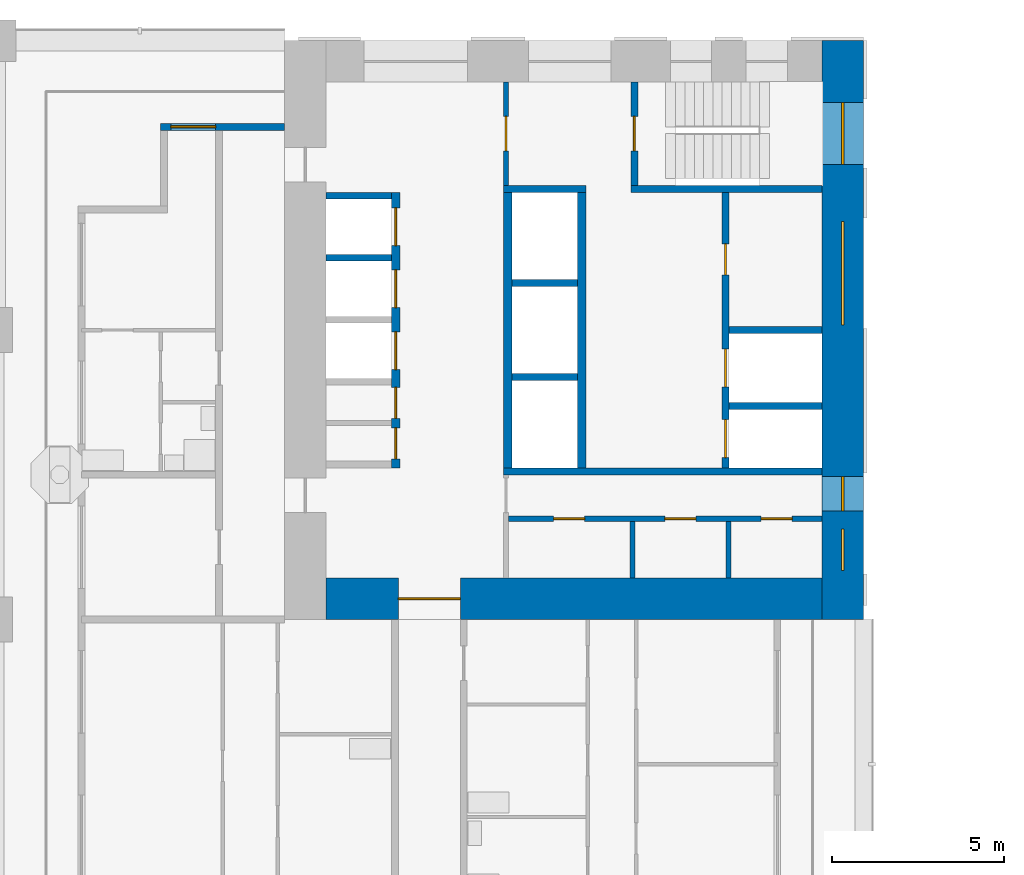
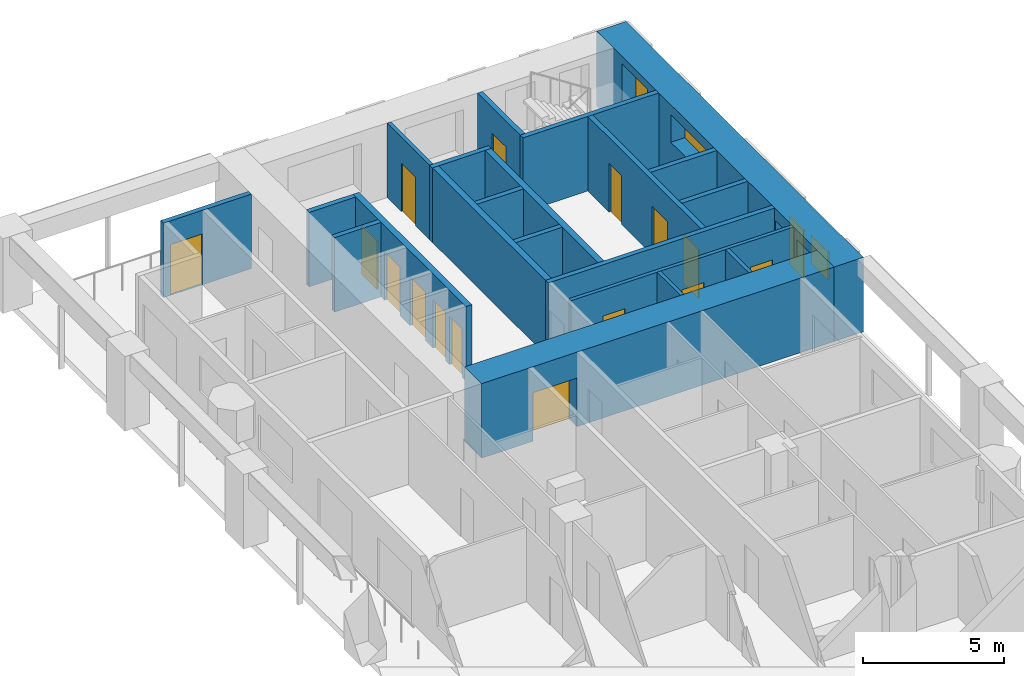
# One storey, part 7 of 18: 21 walls, 15 doors, 4 windows, 19 openings.
"""IFC4 building model written with IfcOpenShell, lengths in metres."""

from ifc_helpers import new_model, si_unit, direction, frame, frame_2d, origin, place, context, subcontext, project, spatial, rectangle, extrude, material, layer, layer_set, type_object, element, fill, save


model = new_model("IFC4")

# Units and contexts
model_context = context("Model", 3, precision=1e-05, world=origin(), true_north=direction((0.0, 1.0)))
body_context = subcontext(model_context, "Body", "Model", "MODEL_VIEW")
ifc_project = project(units=[si_unit("LENGTHUNIT", "METRE"), si_unit("AREAUNIT", "SQUARE_METRE"), si_unit("VOLUMEUNIT", "CUBIC_METRE"), si_unit("PLANEANGLEUNIT", "RADIAN"), si_unit("MASSUNIT", "GRAM", prefix="KILO")], contexts=[model_context])

# Site, building, storey
site_placement = place(None, origin())
site = spatial("IfcSite", under=ifc_project, at=site_placement, CompositionType="ELEMENT")
building_placement = place(site_placement, origin())
building = spatial("IfcBuilding", under=site, at=building_placement, Name="Vermilion Gate Residences", CompositionType="ELEMENT")
storey_placement = place(building_placement, frame((0.0, 0.0, 88.199951171875)))
storey = spatial("IfcBuildingStorey", under=building, at=storey_placement, Name="L21", CompositionType="ELEMENT", Elevation=88.199951171875)

# Wall, opening, door
ifc_material_1 = material(Name="Masonry blockwork", Category="masonry")
ifc_layer_1 = layer(ifc_material_1, 0.14990234375)
ifc_layer_set_1 = layer_set([ifc_layer_1], Name="BLOCKWORK PARTITION 150 EI 120")
wall_type_1 = type_object("IfcWallType", Name="BLOCKWORK PARTITION 150 EI 120", PredefinedType="PARTITIONING", material=ifc_layer_set_1)
wall_1_placement = place(storey_placement, frame((14.824951171875, 57.60009765625, 0.0), z_axis=(0.0, 0.0, 1.0), x_axis=(0.0, -1.0, 0.0)))
wall_1 = element("IfcWall", 1, at=wall_1_placement, inside=storey, type_object=wall_type_1, Name="Core room partition B21-VW-S", PredefinedType="PARTITIONING", context=body_context, shape_type="SweptSolid", body=[
    extrude(rectangle(XDim=3.0, YDim=0.14990234375, at=frame_2d((1.5, 0.0))), origin(), (0.0, 0.0, 1.0), 3.219970703125),
])
opening_1_placement = place(wall_1_placement, frame((1.0, 0.0, 0.0)))
opening_1 = element("IfcOpeningElement", 2, at=opening_1_placement, cuts=wall_1, Name="Opening DK21112", PredefinedType="OPENING", context=body_context, shape_type="SweptSolid", body=[
    extrude(rectangle(XDim=1.0, YDim=2.10009765625, at=frame_2d((0.5, 1.050048828125))), frame((0.0, 0.0849609375, 0.0), z_axis=(0.0, -1.0, 0.0), x_axis=(1.0, 0.0, 0.0)), (0.0, 0.0, 1.0), 0.169921875),
])
ifc_material_2 = material(Name="Steel", Category="steel")
door_type_1 = type_object("IfcDoorType", Name="FIRE DOOR FD60 1000 X 2100", OperationType="SINGLE_SWING_LEFT", PredefinedType="DOOR", material=ifc_material_2)
door_1_placement = place(opening_1_placement, frame((1.0, 0.0, 0.0), z_axis=(0.0, 0.0, 1.0), x_axis=(-1.0, 0.0, 0.0)))
door_1 = element("IfcDoor", 3, at=door_1_placement, inside=storey, type_object=door_type_1, Name="Stair vestibule door B21", OperationType="SINGLE_SWING_RIGHT", OverallHeight=2.10009765625, OverallWidth=1.0, PredefinedType="DOOR", context=body_context, shape_type="SweptSolid", body=[
    extrude(rectangle(XDim=1.0, YDim=2.10009765625, at=frame_2d((0.5, 1.050048828125))), frame((0.0, 0.02490234375, 0.0), z_axis=(0.0, -1.0, 0.0), x_axis=(1.0, 0.0, 0.0)), (0.0, 0.0, 1.0), 0.050048828125),
])
fill(opening_1, door_1)

# Walls
for number, where, z_axis, x_axis, name in (
    (4, (18.4951171875, 44.85009765625, 0.0), (0.0, 0.0, 1.0), (0.0, -1.0, 0.0), "Core room partition B21-ES-P0"),
    (5, (21.284912109375, 44.85009765625, 0.0), (0.0, 0.0, 1.0), (0.0, -1.0, 0.0), "Core room partition B21-ES-P1"),
):
    element("IfcWall", number, at=place(storey_placement, frame(where, z_axis=z_axis, x_axis=x_axis)), inside=storey, type_object=wall_type_1, Name=name, PredefinedType="PARTITIONING", context=body_context, shape_type="SweptSolid", body=[
        extrude(rectangle(XDim=1.650146484375, YDim=0.14990234375, at=frame_2d((0.8251953125, 0.0))), origin(), (0.0, 0.0, 1.0), 3.219970703125),
    ])

# Wall, openings, doors
wall_2_placement = place(storey_placement, frame((14.89990234375, 44.925048828125, 0.0), z_axis=(0.0, 0.0, 1.0), x_axis=(1.0, 0.0, 0.0)))
wall_2 = element("IfcWall", 6, at=wall_2_placement, inside=storey, type_object=wall_type_1, Name="Core room partition B21-ES-W", PredefinedType="PARTITIONING", context=body_context, shape_type="SweptSolid", body=[
    extrude(rectangle(XDim=9.10009765625, YDim=0.14990234375, at=frame_2d((4.550048828125, 0.0))), origin(), (0.0, 0.0, 1.0), 3.219970703125),
])
opening_2_placement = place(wall_2_placement, frame((1.31005859375, 0.0, 0.0)))
opening_2 = element("IfcOpeningElement", 7, at=opening_2_placement, cuts=wall_2, Name="Opening DK21115", PredefinedType="OPENING", context=body_context, shape_type="SweptSolid", body=[
    extrude(rectangle(XDim=0.89990234375, YDim=2.10009765625, at=frame_2d((0.449951171875, 1.050048828125))), frame((0.0, 0.0849609375, 0.0), z_axis=(0.0, -1.0, 0.0), x_axis=(1.0, 0.0, 0.0)), (0.0, 0.0, 1.0), 0.169921875),
])
opening_3_placement = place(wall_2_placement, frame((4.5400390625, 0.0, 0.0)))
opening_3 = element("IfcOpeningElement", 8, at=opening_3_placement, cuts=wall_2, Name="Opening DK21116", PredefinedType="OPENING", context=body_context, shape_type="SweptSolid", body=[
    extrude(rectangle(XDim=0.89990234375, YDim=2.10009765625, at=frame_2d((0.449951171875, 1.050048828125))), frame((0.0, 0.0849609375, 0.0), z_axis=(0.0, -1.0, 0.0), x_axis=(1.0, 0.0, 0.0)), (0.0, 0.0, 1.0), 0.169921875),
])
opening_4_placement = place(wall_2_placement, frame((7.330078125, 0.0, 0.0)))
opening_4 = element("IfcOpeningElement", 9, at=opening_4_placement, cuts=wall_2, Name="Opening DK21117", PredefinedType="OPENING", context=body_context, shape_type="SweptSolid", body=[
    extrude(rectangle(XDim=0.89990234375, YDim=2.10009765625, at=frame_2d((0.449951171875, 1.050048828125))), frame((0.0, 0.0849609375, 0.0), z_axis=(0.0, -1.0, 0.0), x_axis=(1.0, 0.0, 0.0)), (0.0, 0.0, 1.0), 0.169921875),
])
ifc_material_3 = material(Name="Steel", Category="steel")
door_type_2 = type_object("IfcDoorType", Name="SERVICE ROOM DOOR FD60 900 X 2100", OperationType="SINGLE_SWING_LEFT", PredefinedType="DOOR", material=ifc_material_3)
door_2_placement = place(opening_2_placement, frame((0.89990234375, 0.0, 0.0), z_axis=(0.0, 0.0, 1.0), x_axis=(-1.0, 0.0, 0.0)))
door_2 = element("IfcDoor", 10, at=door_2_placement, inside=storey, type_object=door_type_2, Name="Parcel room B21", OperationType="SINGLE_SWING_RIGHT", OverallHeight=2.10009765625, OverallWidth=0.89990234375, PredefinedType="DOOR", context=body_context, shape_type="SweptSolid", body=[
    extrude(rectangle(XDim=0.89990234375, YDim=2.10009765625, at=frame_2d((0.449951171875, 1.050048828125))), frame((0.0, 0.02490234375, 0.0), z_axis=(0.0, -1.0, 0.0), x_axis=(1.0, 0.0, 0.0)), (0.0, 0.0, 1.0), 0.050048828125),
])
fill(opening_2, door_2)
door_3_placement = place(opening_3_placement, frame((0.89990234375, 0.0, 0.0), z_axis=(0.0, 0.0, 1.0), x_axis=(-1.0, 0.0, 0.0)))
door_3 = element("IfcDoor", 11, at=door_3_placement, inside=storey, type_object=door_type_2, Name="Cleaner's store B21", OperationType="SINGLE_SWING_RIGHT", OverallHeight=2.10009765625, OverallWidth=0.89990234375, PredefinedType="DOOR", context=body_context, shape_type="SweptSolid", body=[
    extrude(rectangle(XDim=0.89990234375, YDim=2.10009765625, at=frame_2d((0.449951171875, 1.050048828125))), frame((0.0, 0.02490234375, 0.0), z_axis=(0.0, -1.0, 0.0), x_axis=(1.0, 0.0, 0.0)), (0.0, 0.0, 1.0), 0.050048828125),
])
fill(opening_3, door_3)
door_4_placement = place(opening_4_placement, frame((0.89990234375, 0.0, 0.0), z_axis=(0.0, 0.0, 1.0), x_axis=(-1.0, 0.0, 0.0)))
door_4 = element("IfcDoor", 12, at=door_4_placement, inside=storey, type_object=door_type_2, Name="Electrical room B21", OperationType="SINGLE_SWING_LEFT", OverallHeight=2.10009765625, OverallWidth=0.89990234375, PredefinedType="DOOR", context=body_context, shape_type="SweptSolid", body=[
    extrude(rectangle(XDim=0.89990234375, YDim=2.10009765625, at=frame_2d((0.449951171875, 1.050048828125))), frame((0.0, 0.02490234375, 0.0), z_axis=(0.0, -1.0, 0.0), x_axis=(1.0, 0.0, 0.0)), (0.0, 0.0, 1.0), 0.050048828125),
])
fill(opening_4, door_4)

# Wall, opening, door
ifc_material_4 = material(Name="Insulated steel stud wall with terracotta rainscreen", Category="masonry")
ifc_layer_2 = layer(ifc_material_4, 0.199951171875)
ifc_layer_set_2 = layer_set([ifc_layer_2], Name="EXTERNAL WALL 200 TERRACOTTA RAINSCREEN")
wall_type_2 = type_object("IfcWallType", Name="EXTERNAL WALL 200 TERRACOTTA RAINSCREEN", PredefinedType="SOLIDWALL", material=ifc_layer_set_2)
wall_3_placement = place(storey_placement, frame((8.39990234375, 56.300048828125, 0.0), z_axis=(0.0, 0.0, 1.0), x_axis=(-1.0, 0.0, 0.0)))
wall_3 = element("IfcWall", 13, at=wall_3_placement, inside=storey, type_object=wall_type_2, Name="External wall", PredefinedType="SOLIDWALL", context=body_context, shape_type="SweptSolid", body=[
    extrude(rectangle(XDim=3.599853515625, YDim=0.199951171875, at=frame_2d((1.7998046875, 0.0))), origin(), (0.0, 0.0, 1.0), 3.219970703125),
])
opening_5_placement = place(wall_3_placement, frame((2.0, 0.0, 0.0)))
opening_5 = element("IfcOpeningElement", 14, at=opening_5_placement, cuts=wall_3, Name="Opening DE21001", PredefinedType="OPENING", context=body_context, shape_type="SweptSolid", body=[
    extrude(rectangle(XDim=1.300048828125, YDim=2.199951171875, at=frame_2d((0.64990234375, 1.10009765625))), frame((0.0, 0.10986328125, 0.0), z_axis=(0.0, -1.0, 0.0), x_axis=(1.0, 0.0, 0.0)), (0.0, 0.0, 1.0), 0.219970703125),
])
ifc_material_5 = material(Name="Aluminium and clear glass", Category="aluminium")
door_type_3 = type_object("IfcDoorType", Name="SLIDING GLAZED DOOR 1300 X 2200", OperationType="DOUBLE_DOOR_SLIDING", PredefinedType="DOOR", material=ifc_material_5)
door_5_placement = place(opening_5_placement, origin())
door_5 = element("IfcDoor", 15, at=door_5_placement, inside=storey, type_object=door_type_3, Name="Loggia sliding door", OperationType="DOUBLE_DOOR_SLIDING", OverallHeight=2.199951171875, OverallWidth=1.300048828125, PredefinedType="DOOR", context=body_context, shape_type="SweptSolid", body=[
    extrude(rectangle(XDim=1.300048828125, YDim=2.199951171875, at=frame_2d((0.64990234375, 1.10009765625))), frame((0.0, 0.02490234375, 0.0), z_axis=(0.0, -1.0, 0.0), x_axis=(1.0, 0.0, 0.0)), (0.0, 0.0, 1.0), 0.050048828125),
])
fill(opening_5, door_5)

# Walls
ifc_material_6 = material(Name="Concrete C60", Category="concrete")
ifc_layer_3 = layer(ifc_material_6, 0.199951171875)
ifc_layer_set_3 = layer_set([ifc_layer_3], Name="RC CORE INTERNAL WALL 200 C60")
wall_type_3 = type_object("IfcWallType", Name="RC CORE INTERNAL WALL 200 C60", PredefinedType="SHEAR", material=ifc_layer_set_3)
for number, where, z_axis, x_axis, name in (
    (16, (9.60009765625, 54.300048828125, 0.0), (0.0, 0.0, 1.0), (1.0, 0.0, 0.0), "Core internal wall B21-LR-D0"),
    (17, (9.60009765625, 52.5, 0.0), (0.0, 0.0, 1.0), (1.0, 0.0, 0.0), "Core internal wall B21-LR-D1"),
    (18, (15.0, 51.7666015625, 0.0), (0.0, 0.0, 1.0), (1.0, 0.0, 0.0), "Core internal wall B21-HR-D1"),
    (19, (15.0, 49.033447265625, 0.0), (0.0, 0.0, 1.0), (1.0, 0.0, 0.0), "Core internal wall B21-HR-D2"),
):
    element("IfcWall", number, at=place(storey_placement, frame(where, z_axis=z_axis, x_axis=x_axis)), inside=storey, type_object=wall_type_3, Name=name, PredefinedType="SHEAR", context=body_context, shape_type="SweptSolid", body=[
        extrude(rectangle(XDim=1.89990234375, YDim=0.199951171875, at=frame_2d((0.949951171875, 0.0))), origin(), (0.0, 0.0, 1.0), 3.219970703125),
    ])
for number, where, z_axis, x_axis, name in (
    (20, (21.300048828125, 50.39990234375, 0.0), (0.0, 0.0, 1.0), (1.0, 0.0, 0.0), "Core internal wall B21-FF-D0"),
    (21, (21.300048828125, 48.199951171875, 0.0), (0.0, 0.0, 1.0), (1.0, 0.0, 0.0), "Core internal wall B21-FF-D1"),
):
    element("IfcWall", number, at=place(storey_placement, frame(where, z_axis=z_axis, x_axis=x_axis)), inside=storey, type_object=wall_type_3, Name=name, PredefinedType="SHEAR", context=body_context, shape_type="SweptSolid", body=[
        extrude(rectangle(XDim=2.699951171875, YDim=0.199951171875, at=frame_2d((1.35009765625, 0.0))), origin(), (0.0, 0.0, 1.0), 3.219970703125),
    ])

# Wall, openings, doors
wall_4_placement = place(storey_placement, frame((21.199951171875, 54.39990234375, 0.0), z_axis=(0.0, 0.0, 1.0), x_axis=(0.0, -1.0, 0.0)))
wall_4 = element("IfcWall", 22, at=wall_4_placement, inside=storey, type_object=wall_type_3, Name="Core internal wall B21-FF-F", PredefinedType="SHEAR", context=body_context, shape_type="SweptSolid", body=[
    extrude(rectangle(XDim=8.0, YDim=0.199951171875, at=frame_2d((4.0, 0.0))), origin(), (0.0, 0.0, 1.0), 3.219970703125),
])
opening_6_placement = place(wall_4_placement, frame((1.5, 0.0, 0.0)))
opening_6 = element("IfcOpeningElement", 23, at=opening_6_placement, cuts=wall_4, Name="Opening DK21109", PredefinedType="OPENING", context=body_context, shape_type="SweptSolid", body=[
    extrude(rectangle(XDim=0.89990234375, YDim=2.10009765625, at=frame_2d((0.449951171875, 1.050048828125))), frame((0.0, 0.10986328125, 0.0), z_axis=(0.0, -1.0, 0.0), x_axis=(1.0, 0.0, 0.0)), (0.0, 0.0, 1.0), 0.219970703125),
])
opening_7_placement = place(wall_4_placement, frame((4.550048828125, 0.0, 0.0)))
opening_7 = element("IfcOpeningElement", 24, at=opening_7_placement, cuts=wall_4, Name="Opening LD", PredefinedType="OPENING", context=body_context, shape_type="SweptSolid", body=[
    extrude(rectangle(XDim=1.10009765625, YDim=2.10009765625, at=frame_2d((0.550048828125, 1.050048828125))), frame((0.0, 0.10986328125, 0.0), z_axis=(0.0, -1.0, 0.0), x_axis=(1.0, 0.0, 0.0)), (0.0, 0.0, 1.0), 0.219970703125),
])
opening_8_placement = place(wall_4_placement, frame((6.60009765625, 0.0, 0.0)))
opening_8 = element("IfcOpeningElement", 25, at=opening_8_placement, cuts=wall_4, Name="Opening LD", PredefinedType="OPENING", context=body_context, shape_type="SweptSolid", body=[
    extrude(rectangle(XDim=1.10009765625, YDim=2.10009765625, at=frame_2d((0.550048828125, 1.050048828125))), frame((0.0, 0.10986328125, 0.0), z_axis=(0.0, -1.0, 0.0), x_axis=(1.0, 0.0, 0.0)), (0.0, 0.0, 1.0), 0.219970703125),
])
ifc_material_7 = material(Name="Stainless steel", Category="steel")
door_type_4 = type_object("IfcDoorType", Name="LIFT LANDING DOOR E60 1100 X 2100", OperationType="DOUBLE_DOOR_SLIDING", PredefinedType="DOOR", material=ifc_material_7)
door_6_placement = place(opening_7_placement, origin())
door_6 = element("IfcDoor", 26, at=door_6_placement, inside=storey, type_object=door_type_4, Name="Lift landing door LFB1", OperationType="DOUBLE_DOOR_SLIDING", OverallHeight=2.10009765625, OverallWidth=1.10009765625, PredefinedType="DOOR", context=body_context, shape_type="SweptSolid", body=[
    extrude(rectangle(XDim=1.10009765625, YDim=2.10009765625, at=frame_2d((0.550048828125, 1.050048828125))), frame((0.0, 0.02490234375, 0.0), z_axis=(0.0, -1.0, 0.0), x_axis=(1.0, 0.0, 0.0)), (0.0, 0.0, 1.0), 0.050048828125),
])
fill(opening_7, door_6)
door_7_placement = place(opening_8_placement, origin())
door_7 = element("IfcDoor", 27, at=door_7_placement, inside=storey, type_object=door_type_4, Name="Lift landing door LCB1", OperationType="DOUBLE_DOOR_SLIDING", OverallHeight=2.10009765625, OverallWidth=1.10009765625, PredefinedType="DOOR", context=body_context, shape_type="SweptSolid", body=[
    extrude(rectangle(XDim=1.10009765625, YDim=2.10009765625, at=frame_2d((0.550048828125, 1.050048828125))), frame((0.0, 0.02490234375, 0.0), z_axis=(0.0, -1.0, 0.0), x_axis=(1.0, 0.0, 0.0)), (0.0, 0.0, 1.0), 0.050048828125),
])
fill(opening_8, door_7)
door_8_placement = place(opening_6_placement, origin())
door_8 = element("IfcDoor", 28, at=door_8_placement, inside=storey, type_object=door_type_2, Name="Communications riser B21", OperationType="SINGLE_SWING_LEFT", OverallHeight=2.10009765625, OverallWidth=0.89990234375, PredefinedType="DOOR", context=body_context, shape_type="SweptSolid", body=[
    extrude(rectangle(XDim=0.89990234375, YDim=2.10009765625, at=frame_2d((0.449951171875, 1.050048828125))), frame((0.0, 0.02490234375, 0.0), z_axis=(0.0, -1.0, 0.0), x_axis=(1.0, 0.0, 0.0)), (0.0, 0.0, 1.0), 0.050048828125),
])
fill(opening_6, door_8)

# Walls
wall_5_placement = place(storey_placement, frame((14.75, 54.5, 0.0), z_axis=(0.0, 0.0, 1.0), x_axis=(1.0, 0.0, 0.0)))
element("IfcWall", 29, at=wall_5_placement, inside=storey, type_object=wall_type_3, Name="Core internal wall B21-WDIV1", PredefinedType="SHEAR", context=body_context, shape_type="SweptSolid", body=[
    extrude(rectangle(XDim=2.39990234375, YDim=0.199951171875, at=frame_2d((1.199951171875, 0.0))), origin(), (0.0, 0.0, 1.0), 3.219970703125),
])
wall_6_placement = place(storey_placement, frame((18.449951171875, 54.5, 0.0), z_axis=(0.0, 0.0, 1.0), x_axis=(1.0, 0.0, 0.0)))
element("IfcWall", 30, at=wall_6_placement, inside=storey, type_object=wall_type_3, Name="Core internal wall B21-WDIV2", PredefinedType="SHEAR", context=body_context, shape_type="SweptSolid", body=[
    extrude(rectangle(XDim=5.550048828125, YDim=0.199951171875, at=frame_2d((2.77490234375, 0.0))), origin(), (0.0, 0.0, 1.0), 3.219970703125),
])

# Wall, opening, door
wall_7_placement = place(storey_placement, frame((18.550048828125, 57.60009765625, 0.0), z_axis=(0.0, 0.0, 1.0), x_axis=(0.0, -1.0, 0.0)))
wall_7 = element("IfcWall", 31, at=wall_7_placement, inside=storey, type_object=wall_type_3, Name="Core internal wall B21-STW-S", PredefinedType="SHEAR", context=body_context, shape_type="SweptSolid", body=[
    extrude(rectangle(XDim=3.0, YDim=0.199951171875, at=frame_2d((1.5, 0.0))), origin(), (0.0, 0.0, 1.0), 3.219970703125),
])
opening_9_placement = place(wall_7_placement, frame((1.0, 0.0, 0.0)))
opening_9 = element("IfcOpeningElement", 32, at=opening_9_placement, cuts=wall_7, Name="Opening DK21113", PredefinedType="OPENING", context=body_context, shape_type="SweptSolid", body=[
    extrude(rectangle(XDim=1.0, YDim=2.10009765625, at=frame_2d((0.5, 1.050048828125))), frame((0.0, 0.10986328125, 0.0), z_axis=(0.0, -1.0, 0.0), x_axis=(1.0, 0.0, 0.0)), (0.0, 0.0, 1.0), 0.219970703125),
])
door_9_placement = place(opening_9_placement, origin())
door_9 = element("IfcDoor", 33, at=door_9_placement, inside=storey, type_object=door_type_1, Name="Stair door B21", OperationType="SINGLE_SWING_LEFT", OverallHeight=2.10009765625, OverallWidth=1.0, PredefinedType="DOOR", context=body_context, shape_type="SweptSolid", body=[
    extrude(rectangle(XDim=1.0, YDim=2.10009765625, at=frame_2d((0.5, 1.050048828125))), frame((0.0, 0.02490234375, 0.0), z_axis=(0.0, -1.0, 0.0), x_axis=(1.0, 0.0, 0.0)), (0.0, 0.0, 1.0), 0.050048828125),
])
fill(opening_9, door_9)

# Wall
wall_8_placement = place(storey_placement, frame((14.75, 46.300048828125, 0.0), z_axis=(0.0, 0.0, 1.0), x_axis=(1.0, 0.0, 0.0)))
element("IfcWall", 34, at=wall_8_placement, inside=storey, type_object=wall_type_3, Name="Core internal wall B21-EDIV", PredefinedType="SHEAR", context=body_context, shape_type="SweptSolid", body=[
    extrude(rectangle(XDim=9.25, YDim=0.199951171875, at=frame_2d((4.625, 0.0))), origin(), (0.0, 0.0, 1.0), 3.219970703125),
])

# Wall, opening, door
ifc_material_8 = material(Name="Concrete C70", Category="concrete")
ifc_layer_4 = layer(ifc_material_8, 1.199951171875)
ifc_layer_set_4 = layer_set([ifc_layer_4], Name="RC CORE WALL 1200 C70")
wall_type_4 = type_object("IfcWallType", Name="RC CORE WALL 1200 C70", PredefinedType="SHEAR", material=ifc_layer_set_4)
wall_9_placement = place(storey_placement, frame((9.60009765625, 42.60009765625, 0.0), z_axis=(0.0, 0.0, 1.0), x_axis=(1.0, 0.0, 0.0)))
wall_9 = element("IfcWall", 35, at=wall_9_placement, inside=storey, type_object=wall_type_4, Name="Core wall B21-OUT-BK", PredefinedType="SHEAR", context=body_context, shape_type="SweptSolid", body=[
    extrude(rectangle(XDim=14.39990234375, YDim=1.199951171875, at=frame_2d((7.199951171875, 0.0))), origin(), (0.0, 0.0, 1.0), 3.219970703125),
])
opening_10_placement = place(wall_9_placement, frame((2.10009765625, 0.0, 0.0)))
opening_10 = element("IfcOpeningElement", 36, at=opening_10_placement, cuts=wall_9, Name="Opening DK21103", PredefinedType="OPENING", context=body_context, shape_type="SweptSolid", body=[
    extrude(rectangle(XDim=1.800048828125, YDim=2.10009765625, at=frame_2d((0.89990234375, 1.050048828125))), frame((0.0, 0.60986328125, 0.0), z_axis=(0.0, -1.0, 0.0), x_axis=(1.0, 0.0, 0.0)), (0.0, 0.0, 1.0), 1.219970703125),
])
ifc_material_9 = material(Name="Steel", Category="steel")
door_type_5 = type_object("IfcDoorType", Name="CORE LOBBY DOOR FD60 1800 X 2100", OperationType="DOUBLE_DOOR_SINGLE_SWING", PredefinedType="DOOR", material=ifc_material_9)
door_10_placement = place(opening_10_placement, origin())
door_10 = element("IfcDoor", 37, at=door_10_placement, inside=storey, type_object=door_type_5, Name="Core lobby door B21", OperationType="DOUBLE_DOOR_SINGLE_SWING", OverallHeight=2.10009765625, OverallWidth=1.800048828125, PredefinedType="DOOR", context=body_context, shape_type="SweptSolid", body=[
    extrude(rectangle(XDim=1.800048828125, YDim=2.10009765625, at=frame_2d((0.89990234375, 1.050048828125))), frame((0.0, 0.02490234375, 0.0), z_axis=(0.0, -1.0, 0.0), x_axis=(1.0, 0.0, 0.0)), (0.0, 0.0, 1.0), 0.050048828125),
])
fill(opening_10, door_10)

# Wall, openings, windows
ifc_material_10 = material(Name="Concrete C70 red-oxide pigmented", Category="concrete")
ifc_layer_5 = layer(ifc_material_10, 1.199951171875)
ifc_layer_set_5 = layer_set([ifc_layer_5], Name="RC CORE WALL 1200 C70 RED OXIDE")
wall_type_5 = type_object("IfcWallType", Name="RC CORE WALL 1200 C70 RED OXIDE", PredefinedType="SHEAR", material=ifc_layer_set_5)
wall_10_placement = place(storey_placement, frame((24.60009765625, 58.800048828125, 0.0), z_axis=(0.0, 0.0, 1.0), x_axis=(0.0, -1.0, 0.0)))
wall_10 = element("IfcWall", 38, at=wall_10_placement, inside=storey, type_object=wall_type_5, Name="Core wall B21-OUT-B1", PredefinedType="SHEAR", context=body_context, shape_type="SweptSolid", body=[
    extrude(rectangle(XDim=16.800048828125, YDim=1.199951171875, at=frame_2d((8.39990234375, 0.0))), origin(), (0.0, 0.0, 1.0), 3.219970703125),
])
opening_11_placement = place(wall_10_placement, frame((1.800048828125, 0.0, 0.5)))
opening_11 = element("IfcOpeningElement", 39, at=opening_11_placement, cuts=wall_10, Name="Opening WKB2101", PredefinedType="OPENING", context=body_context, shape_type="SweptSolid", body=[
    extrude(rectangle(XDim=1.800048828125, YDim=2.39990234375, at=frame_2d((0.89990234375, 1.199951171875))), frame((0.0, 0.60986328125, 0.0), z_axis=(0.0, -1.0, 0.0), x_axis=(1.0, 0.0, 0.0)), (0.0, 0.0, 1.0), 1.219970703125),
])
opening_12_placement = place(wall_10_placement, frame((5.25, 0.0, 1.60009765625)))
opening_12 = element("IfcOpeningElement", 40, at=opening_12_placement, cuts=wall_10, Name="Opening WKB2102", PredefinedType="OPENING", context=body_context, shape_type="SweptSolid", body=[
    extrude(rectangle(XDim=3.0, YDim=1.199951171875, at=frame_2d((1.5, 0.60009765625))), frame((0.0, 0.60986328125, 0.0), z_axis=(0.0, -1.0, 0.0), x_axis=(1.0, 0.0, 0.0)), (0.0, 0.0, 1.0), 1.219970703125),
])
opening_13_placement = place(wall_10_placement, frame((12.64990234375, 0.0, 0.60009765625)))
opening_13 = element("IfcOpeningElement", 41, at=opening_13_placement, cuts=wall_10, Name="Opening WKB2103", PredefinedType="OPENING", context=body_context, shape_type="SweptSolid", body=[
    extrude(rectangle(XDim=1.0, YDim=2.10009765625, at=frame_2d((0.5, 1.050048828125))), frame((0.0, 0.60986328125, 0.0), z_axis=(0.0, -1.0, 0.0), x_axis=(1.0, 0.0, 0.0)), (0.0, 0.0, 1.0), 1.219970703125),
])
opening_14_placement = place(wall_10_placement, frame((14.175048828125, 0.0, 1.60009765625)))
opening_14 = element("IfcOpeningElement", 42, at=opening_14_placement, cuts=wall_10, Name="Opening WKB2104", PredefinedType="OPENING", context=body_context, shape_type="SweptSolid", body=[
    extrude(rectangle(XDim=1.199951171875, YDim=1.199951171875, at=frame_2d((0.60009765625, 0.60009765625))), frame((0.0, 0.60986328125, 0.0), z_axis=(0.0, -1.0, 0.0), x_axis=(1.0, 0.0, 0.0)), (0.0, 0.0, 1.0), 1.219970703125),
])
ifc_material_11 = material(Name="Aluminium and clear glass", Category="aluminium")
window_type_1 = type_object("IfcWindowType", Name="CORE CORRIDOR WINDOW 1000 X 2100", PartitioningType="SINGLE_PANEL", PredefinedType="WINDOW", material=ifc_material_11)
window_1_placement = place(opening_13_placement, origin())
window_1 = element("IfcWindow", 43, at=window_1_placement, inside=storey, type_object=window_type_1, Name="Core corridor window", OverallHeight=2.10009765625, OverallWidth=1.0, PartitioningType="SINGLE_PANEL", PredefinedType="WINDOW", context=body_context, shape_type="SweptSolid", body=[
    extrude(rectangle(XDim=1.0, YDim=2.10009765625, at=frame_2d((0.5, 1.050048828125))), frame((0.0, 0.030029296875, 0.0), z_axis=(0.0, -1.0, 0.0), x_axis=(1.0, 0.0, 0.0)), (0.0, 0.0, 1.0), 0.06005859375),
])
fill(opening_13, window_1)
ifc_material_12 = material(Name="Aluminium frame with louvre blades", Category="aluminium")
window_type_2 = type_object("IfcWindowType", Name="CORE LOUVRE 1200 X 1200", PartitioningType="SINGLE_PANEL", PredefinedType="WINDOW", material=ifc_material_12)
window_2_placement = place(opening_14_placement, origin())
window_2 = element("IfcWindow", 44, at=window_2_placement, inside=storey, type_object=window_type_2, Name="Core louvre", OverallHeight=1.199951171875, OverallWidth=1.199951171875, PartitioningType="SINGLE_PANEL", PredefinedType="WINDOW", context=body_context, shape_type="SweptSolid", body=[
    extrude(rectangle(XDim=1.199951171875, YDim=1.199951171875, at=frame_2d((0.60009765625, 0.60009765625))), frame((0.0, 0.030029296875, 0.0), z_axis=(0.0, -1.0, 0.0), x_axis=(1.0, 0.0, 0.0)), (0.0, 0.0, 1.0), 0.06005859375),
])
fill(opening_14, window_2)
ifc_material_13 = material(Name="Aluminium frame with louvre blades", Category="aluminium")
window_type_3 = type_object("IfcWindowType", Name="CORE LOUVRE 3000 X 1200", PartitioningType="SINGLE_PANEL", PredefinedType="WINDOW", material=ifc_material_13)
window_3_placement = place(opening_12_placement, origin())
window_3 = element("IfcWindow", 45, at=window_3_placement, inside=storey, type_object=window_type_3, Name="Core louvre", OverallHeight=1.199951171875, OverallWidth=3.0, PartitioningType="SINGLE_PANEL", PredefinedType="WINDOW", context=body_context, shape_type="SweptSolid", body=[
    extrude(rectangle(XDim=3.0, YDim=1.199951171875, at=frame_2d((1.5, 0.60009765625))), frame((0.0, 0.030029296875, 0.0), z_axis=(0.0, -1.0, 0.0), x_axis=(1.0, 0.0, 0.0)), (0.0, 0.0, 1.0), 0.06005859375),
])
fill(opening_12, window_3)
ifc_material_14 = material(Name="Aluminium and clear glass", Category="aluminium")
window_type_4 = type_object("IfcWindowType", Name="CORE STAIR WINDOW 1800 X 2400", PartitioningType="SINGLE_PANEL", PredefinedType="WINDOW", material=ifc_material_14)
window_4_placement = place(opening_11_placement, origin())
window_4 = element("IfcWindow", 46, at=window_4_placement, inside=storey, type_object=window_type_4, Name="Core stair window", OverallHeight=2.39990234375, OverallWidth=1.800048828125, PartitioningType="SINGLE_PANEL", PredefinedType="WINDOW", context=body_context, shape_type="SweptSolid", body=[
    extrude(rectangle(XDim=1.800048828125, YDim=2.39990234375, at=frame_2d((0.89990234375, 1.199951171875))), frame((0.0, 0.030029296875, 0.0), z_axis=(0.0, -1.0, 0.0), x_axis=(1.0, 0.0, 0.0)), (0.0, 0.0, 1.0), 0.06005859375),
])
fill(opening_11, window_4)

# Wall, openings, doors
ifc_material_15 = material(Name="Concrete C60", Category="concrete")
ifc_layer_6 = layer(ifc_material_15, 0.25)
ifc_layer_set_6 = layer_set([ifc_layer_6], Name="RC LIFT SHAFT WALL 250 C60")
wall_type_6 = type_object("IfcWallType", Name="RC LIFT SHAFT WALL 250 C60", PredefinedType="SHEAR", material=ifc_layer_set_6)
wall_11_placement = place(storey_placement, frame((11.625, 54.39990234375, 0.0), z_axis=(0.0, 0.0, 1.0), x_axis=(0.0, -1.0, 0.0)))
wall_11 = element("IfcWall", 47, at=wall_11_placement, inside=storey, type_object=wall_type_6, Name="Lift shaft wall B21-LR-F", PredefinedType="SHEAR", context=body_context, shape_type="SweptSolid", body=[
    extrude(rectangle(XDim=8.0, YDim=0.25, at=frame_2d((4.0, 0.0))), origin(), (0.0, 0.0, 1.0), 3.219970703125),
])
opening_15_placement = place(wall_11_placement, frame((0.449951171875, 0.0, 0.0)))
opening_15 = element("IfcOpeningElement", 48, at=opening_15_placement, cuts=wall_11, Name="Opening LD", PredefinedType="OPENING", context=body_context, shape_type="SweptSolid", body=[
    extrude(rectangle(XDim=1.10009765625, YDim=2.10009765625, at=frame_2d((0.550048828125, 1.050048828125))), frame((0.0, 0.135009765625, 0.0), z_axis=(0.0, -1.0, 0.0), x_axis=(1.0, 0.0, 0.0)), (0.0, 0.0, 1.0), 0.27001953125),
])
opening_16_placement = place(wall_11_placement, frame((2.25, 0.0, 0.0)))
opening_16 = element("IfcOpeningElement", 49, at=opening_16_placement, cuts=wall_11, Name="Opening LD", PredefinedType="OPENING", context=body_context, shape_type="SweptSolid", body=[
    extrude(rectangle(XDim=1.10009765625, YDim=2.10009765625, at=frame_2d((0.550048828125, 1.050048828125))), frame((0.0, 0.135009765625, 0.0), z_axis=(0.0, -1.0, 0.0), x_axis=(1.0, 0.0, 0.0)), (0.0, 0.0, 1.0), 0.27001953125),
])
opening_17_placement = place(wall_11_placement, frame((4.050048828125, 0.0, 0.0)))
opening_17 = element("IfcOpeningElement", 50, at=opening_17_placement, cuts=wall_11, Name="Opening LD", PredefinedType="OPENING", context=body_context, shape_type="SweptSolid", body=[
    extrude(rectangle(XDim=1.10009765625, YDim=2.10009765625, at=frame_2d((0.550048828125, 1.050048828125))), frame((0.0, 0.135009765625, 0.0), z_axis=(0.0, -1.0, 0.0), x_axis=(1.0, 0.0, 0.0)), (0.0, 0.0, 1.0), 0.27001953125),
])
opening_18_placement = place(wall_11_placement, frame((5.66259765625, 0.0, 0.0)))
opening_18 = element("IfcOpeningElement", 51, at=opening_18_placement, cuts=wall_11, Name="Opening DK21107", PredefinedType="OPENING", context=body_context, shape_type="SweptSolid", body=[
    extrude(rectangle(XDim=0.89990234375, YDim=2.10009765625, at=frame_2d((0.449951171875, 1.050048828125))), frame((0.0, 0.135009765625, 0.0), z_axis=(0.0, -1.0, 0.0), x_axis=(1.0, 0.0, 0.0)), (0.0, 0.0, 1.0), 0.27001953125),
])
opening_19_placement = place(wall_11_placement, frame((6.83740234375, 0.0, 0.0)))
opening_19 = element("IfcOpeningElement", 52, at=opening_19_placement, cuts=wall_11, Name="Opening DK21108", PredefinedType="OPENING", context=body_context, shape_type="SweptSolid", body=[
    extrude(rectangle(XDim=0.89990234375, YDim=2.10009765625, at=frame_2d((0.449951171875, 1.050048828125))), frame((0.0, 0.135009765625, 0.0), z_axis=(0.0, -1.0, 0.0), x_axis=(1.0, 0.0, 0.0)), (0.0, 0.0, 1.0), 0.27001953125),
])
door_11_placement = place(opening_15_placement, origin())
door_11 = element("IfcDoor", 53, at=door_11_placement, inside=storey, type_object=door_type_4, Name="Lift landing door LRB1", OperationType="DOUBLE_DOOR_SLIDING", OverallHeight=2.10009765625, OverallWidth=1.10009765625, PredefinedType="DOOR", context=body_context, shape_type="SweptSolid", body=[
    extrude(rectangle(XDim=1.10009765625, YDim=2.10009765625, at=frame_2d((0.550048828125, 1.050048828125))), frame((0.0, 0.02490234375, 0.0), z_axis=(0.0, -1.0, 0.0), x_axis=(1.0, 0.0, 0.0)), (0.0, 0.0, 1.0), 0.050048828125),
])
fill(opening_15, door_11)
door_12_placement = place(opening_16_placement, origin())
door_12 = element("IfcDoor", 54, at=door_12_placement, inside=storey, type_object=door_type_4, Name="Lift landing door LRB2", OperationType="DOUBLE_DOOR_SLIDING", OverallHeight=2.10009765625, OverallWidth=1.10009765625, PredefinedType="DOOR", context=body_context, shape_type="SweptSolid", body=[
    extrude(rectangle(XDim=1.10009765625, YDim=2.10009765625, at=frame_2d((0.550048828125, 1.050048828125))), frame((0.0, 0.02490234375, 0.0), z_axis=(0.0, -1.0, 0.0), x_axis=(1.0, 0.0, 0.0)), (0.0, 0.0, 1.0), 0.050048828125),
])
fill(opening_16, door_12)
door_13_placement = place(opening_17_placement, origin())
door_13 = element("IfcDoor", 55, at=door_13_placement, inside=storey, type_object=door_type_4, Name="Lift landing door LRB3", OperationType="DOUBLE_DOOR_SLIDING", OverallHeight=2.10009765625, OverallWidth=1.10009765625, PredefinedType="DOOR", context=body_context, shape_type="SweptSolid", body=[
    extrude(rectangle(XDim=1.10009765625, YDim=2.10009765625, at=frame_2d((0.550048828125, 1.050048828125))), frame((0.0, 0.02490234375, 0.0), z_axis=(0.0, -1.0, 0.0), x_axis=(1.0, 0.0, 0.0)), (0.0, 0.0, 1.0), 0.050048828125),
])
fill(opening_17, door_13)
door_14_placement = place(opening_18_placement, frame((0.89990234375, 0.0, 0.0), z_axis=(0.0, 0.0, 1.0), x_axis=(-1.0, 0.0, 0.0)))
door_14 = element("IfcDoor", 56, at=door_14_placement, inside=storey, type_object=door_type_2, Name="Mail room B21", OperationType="SINGLE_SWING_LEFT", OverallHeight=2.10009765625, OverallWidth=0.89990234375, PredefinedType="DOOR", context=body_context, shape_type="SweptSolid", body=[
    extrude(rectangle(XDim=0.89990234375, YDim=2.10009765625, at=frame_2d((0.449951171875, 1.050048828125))), frame((0.0, 0.02490234375, 0.0), z_axis=(0.0, -1.0, 0.0), x_axis=(1.0, 0.0, 0.0)), (0.0, 0.0, 1.0), 0.050048828125),
])
fill(opening_18, door_14)
door_15_placement = place(opening_19_placement, frame((0.89990234375, 0.0, 0.0), z_axis=(0.0, 0.0, 1.0), x_axis=(-1.0, 0.0, 0.0)))
door_15 = element("IfcDoor", 57, at=door_15_placement, inside=storey, type_object=door_type_2, Name="Cleaner's store B21", OperationType="SINGLE_SWING_LEFT", OverallHeight=2.10009765625, OverallWidth=0.89990234375, PredefinedType="DOOR", context=body_context, shape_type="SweptSolid", body=[
    extrude(rectangle(XDim=0.89990234375, YDim=2.10009765625, at=frame_2d((0.449951171875, 1.050048828125))), frame((0.0, 0.02490234375, 0.0), z_axis=(0.0, -1.0, 0.0), x_axis=(1.0, 0.0, 0.0)), (0.0, 0.0, 1.0), 0.050048828125),
])
fill(opening_19, door_15)

# Walls
for number, where, z_axis, x_axis, name in (
    (58, (14.875, 54.39990234375, 0.0), (0.0, 0.0, 1.0), (0.0, -1.0, 0.0), "Lift shaft wall B21-HR-F"),
    (59, (17.02490234375, 54.39990234375, 0.0), (0.0, 0.0, 1.0), (0.0, -1.0, 0.0), "Lift shaft wall B21-HR-B"),
):
    element("IfcWall", number, at=place(storey_placement, frame(where, z_axis=z_axis, x_axis=x_axis)), inside=storey, type_object=wall_type_6, Name=name, PredefinedType="SHEAR", context=body_context, shape_type="SweptSolid", body=[
        extrude(rectangle(XDim=8.0, YDim=0.25, at=frame_2d((4.0, 0.0))), origin(), (0.0, 0.0, 1.0), 3.219970703125),
    ])

save(model, "model.ifc")
